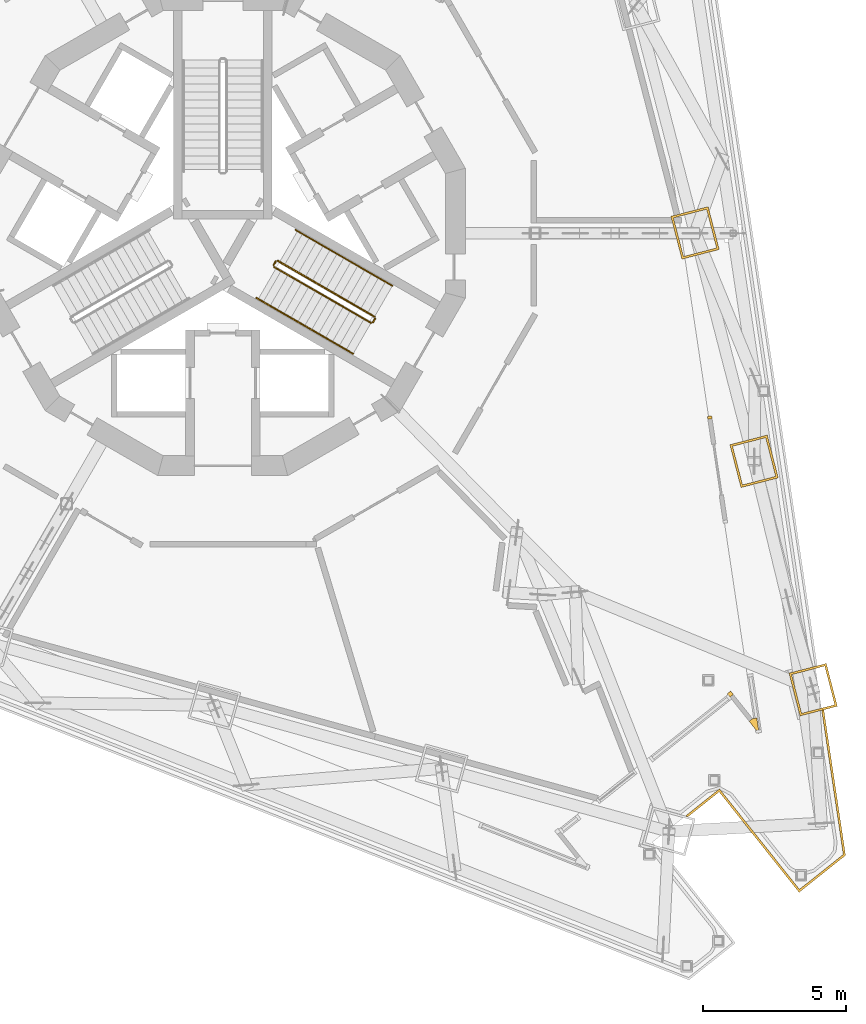
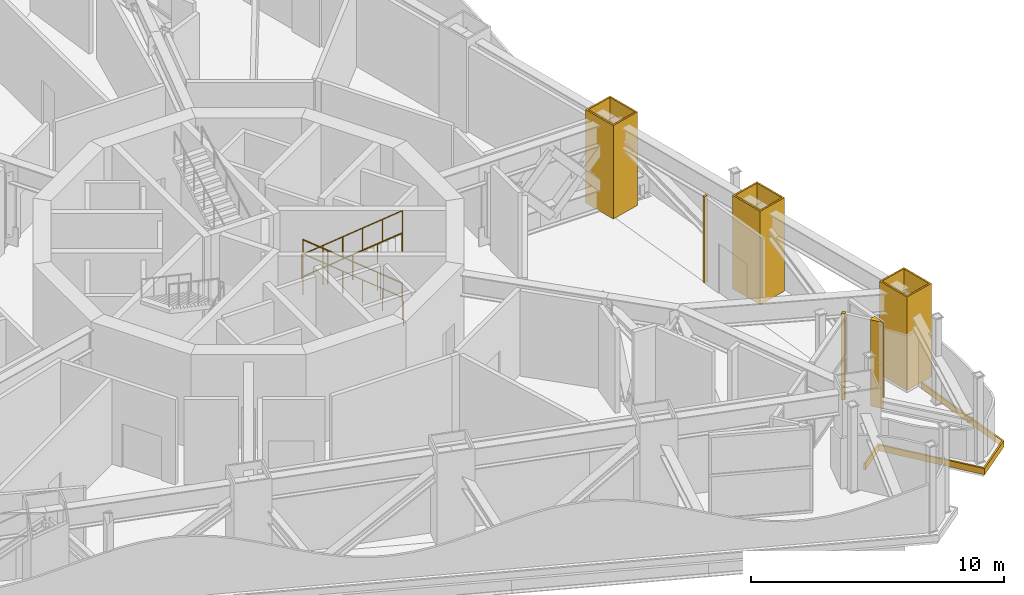
# One storey, part 24 of 27: 8 railings, 7 coverings.
"""IFC4 building model written with IfcOpenShell, lengths in metres."""

from ifc_helpers import new_model, si_unit, direction, frame, origin, origin_2d, place, context, subcontext, project, spatial, polyline, circle, outline, extrude, material, layer, layer_set, type_object, element, save


model = new_model("IFC4")

# Units and contexts
model_context = context("Model", 3, precision=1e-05, world=origin(), true_north=direction((0.0, 1.0)))
body_context = subcontext(model_context, "Body", "Model", "MODEL_VIEW")
ifc_project = project(units=[si_unit("LENGTHUNIT", "METRE"), si_unit("AREAUNIT", "SQUARE_METRE"), si_unit("VOLUMEUNIT", "CUBIC_METRE"), si_unit("PLANEANGLEUNIT", "RADIAN"), si_unit("MASSUNIT", "GRAM", prefix="KILO")], contexts=[model_context])

# Site, building, storey
site_placement = place(None, origin())
site = spatial("IfcSite", under=ifc_project, at=site_placement, CompositionType="ELEMENT")
building_placement = place(site_placement, origin())
building = spatial("IfcBuilding", under=site, at=building_placement, Name="Trine Commons Tower", CompositionType="ELEMENT")
storey_placement = place(building_placement, frame((0.0, 0.0, 230.39990234375)))
storey = spatial("IfcBuildingStorey", under=building, at=storey_placement, Name="L60", CompositionType="ELEMENT", Elevation=230.39990234375)

# Coverings
ifc_material_1 = material(Name="Aluminium-framed insulated wall panel", Category="aluminium")
ifc_layer_1 = layer(ifc_material_1, 0.14990234375)
ifc_layer_set_1 = layer_set([ifc_layer_1], Name="Aluminium-framed insulated wall panel")
covering_type_1 = type_object("IfcCoveringType", Name="Glazing corner post, aluminium", PredefinedType="CLADDING", material=ifc_layer_set_1)
covering_1_placement = place(storey_placement, origin())
element("IfcCovering", 1, at=covering_1_placement, inside=storey, type_object=covering_type_1, Name="Entrance wall jamb post F2 9A", PredefinedType="CLADDING", context=body_context, shape_type="SweptSolid", body=[
    extrude(outline(polyline([(97.135009765625, 56.097412109375), (97.14990234375, 55.99853515625), (97.00146484375, 55.976318359375), (96.98681640625, 56.0751953125), (97.135009765625, 56.097412109375)])), origin(), (0.0, 0.0, 1.0), 4.150146484375),
])
covering_2_placement = place(storey_placement, origin())
element("IfcCovering", 2, at=covering_2_placement, inside=storey, type_object=covering_type_1, Name="Glazing corner post 6-06", PredefinedType="CLADDING", context=body_context, shape_type="SweptSolid", body=[
    extrude(outline(polyline([(98.4521484375, 45.390625), (98.800537109375, 44.95263671875), (98.718017578125, 45.506103515625), (98.569580078125, 45.484130859375), (98.4521484375, 45.390625)])), origin(), (0.0, 0.0, 1.0), 4.150146484375),
])
covering_3_placement = place(storey_placement, origin())
element("IfcCovering", 3, at=covering_3_placement, inside=storey, type_object=covering_type_1, Name="Glazing corner post 6-07", PredefinedType="CLADDING", context=body_context, shape_type="SweptSolid", body=[
    extrude(outline(polyline([(97.682861328125, 46.35791015625), (97.7763671875, 46.240478515625), (97.7763671875, 46.240478515625), (97.893798828125, 46.333740234375), (97.80029296875, 46.451171875), (97.80029296875, 46.451171875), (97.682861328125, 46.35791015625)])), origin(), (0.0, 0.0, 1.0), 4.150146484375),
])
ifc_material_2 = material(Name="Limestone, honed", Category="masonry")
ifc_layer_2 = layer(ifc_material_2, 0.074951171875)
ifc_layer_set_2 = layer_set([ifc_layer_2], Name="Limestone, honed")
covering_type_2 = type_object("IfcCoveringType", Name="Limestone column cladding 75", PredefinedType="CLADDING", material=ifc_layer_set_2)
covering_4_placement = place(storey_placement, origin())
element("IfcCovering", 4, at=covering_4_placement, inside=storey, type_object=covering_type_2, Name="Limestone pier cladding 7-16", PredefinedType="CLADDING", context=body_context, shape_type="SweptSolid", body=[
    extrude(outline(polyline([(97.01171875, 63.4296875), (95.704833984375, 63.091552734375), (96.0927734375, 61.591064453125), (97.39990234375, 61.928955078125), (97.01171875, 63.4296875)]), holes=[polyline([(96.9580078125, 63.338134765625), (95.796142578125, 63.037841796875), (96.146728515625, 61.682373046875), (97.30859375, 61.98291015625), (96.9580078125, 63.338134765625)])]), origin(), (0.0, 0.0, 1.0), 4.5),
])
covering_5_placement = place(storey_placement, origin())
element("IfcCovering", 5, at=covering_5_placement, inside=storey, type_object=covering_type_2, Name="Limestone pier cladding 7-17", PredefinedType="CLADDING", context=body_context, shape_type="SweptSolid", body=[
    extrude(outline(polyline([(99.082275390625, 55.42431640625), (97.775146484375, 55.086181640625), (98.1630859375, 53.585693359375), (99.47021484375, 53.923583984375), (99.082275390625, 55.42431640625)]), holes=[polyline([(99.0283203125, 55.3330078125), (97.866455078125, 55.032470703125), (98.217041015625, 53.677001953125), (99.37890625, 53.9775390625), (99.0283203125, 55.3330078125)])]), origin(), (0.0, 0.0, 1.0), 4.5),
])
covering_6_placement = place(storey_placement, origin())
element("IfcCovering", 6, at=covering_6_placement, inside=storey, type_object=covering_type_2, Name="Limestone pier cladding 7-18", PredefinedType="CLADDING", context=body_context, shape_type="SweptSolid", body=[
    extrude(outline(polyline([(101.152587890625, 47.4189453125), (99.845458984375, 47.0810546875), (100.2333984375, 45.580322265625), (101.54052734375, 45.91845703125), (101.152587890625, 47.4189453125)]), holes=[polyline([(101.0986328125, 47.32763671875), (99.936767578125, 47.027099609375), (100.287353515625, 45.671875), (101.44921875, 45.97216796875), (101.0986328125, 47.32763671875)])]), origin(), (0.0, 0.0, 1.0), 4.5),
])
ifc_layer_3 = layer(ifc_material_2, 0.074951171875)
ifc_layer_set_3 = layer_set([ifc_layer_3], Name="Limestone, honed")
covering_type_3 = type_object("IfcCoveringType", Name="Limestone spandrel panel 75", PredefinedType="CLADDING", material=ifc_layer_set_3)
covering_7_placement = place(storey_placement, frame((0.0, 0.0, -0.2998046875)))
element("IfcCovering", 7, at=covering_7_placement, inside=storey, type_object=covering_type_3, Name="Limestone spandrel panel 6-03", PredefinedType="CLADDING", context=body_context, shape_type="SweptSolid", body=[
    extrude(outline(polyline([(97.397705078125, 42.917236328125), (100.198974609375, 39.3955078125), (101.82861328125, 40.69189453125), (101.06591796875, 45.795654296875), (100.992919921875, 45.77685546875), (101.748046875, 40.7236328125), (100.2109375, 39.5009765625), (97.40966796875, 43.022705078125), (96.2138671875, 42.0712890625), (96.302978515625, 42.046630859375), (97.397705078125, 42.917236328125)])), origin(), (0.0, 0.0, 1.0), 0.2998046875),
])

# Railings
ifc_material_3 = material(Name="Stainless steel balustrade", Category="steel")
railing_type_1 = type_object("IfcRailingType", Name="Stair guard, steel balustrade 1100", PredefinedType="GUARDRAIL", material=ifc_material_3)
railing_1_placement = place(storey_placement, frame((85.31982421875, 59.572998046875, 0.150146484375)))
element("IfcRailing", 8, at=railing_1_placement, inside=storey, type_object=railing_type_1, Name="L60 ST3C stair guard 1", PredefinedType="GUARDRAIL", context=body_context, shape_type="SweptSolid", body=[
    extrude(circle(Radius=0.02392578125, at=origin_2d()), frame((0.0, 0.0, 1.076171875), z_axis=(-0.763394730363, 0.440743106462, 0.472201228037), x_axis=(-0.499997407846, -0.86602690036, 0.0)), (0.0, 0.0, 1.0), 4.447021484375),
    extrude(circle(Radius=0.02099609375, at=origin_2d()), origin(), (0.0, 0.0, 1.0), 1.052001953125),
    extrude(circle(Radius=0.02099609375, at=origin_2d()), frame((-0.678955078125, 0.39208984375, 0.419921875)), (0.0, 0.0, 1.0), 1.052001953125),
    extrude(circle(Radius=0.02099609375, at=origin_2d()), frame((-1.35791015625, 0.783935546875, 0.83984375)), (0.0, 0.0, 1.0), 1.052001953125),
    extrude(circle(Radius=0.02099609375, at=origin_2d()), frame((-2.036865234375, 1.176025390625, 1.260009765625)), (0.0, 0.0, 1.0), 1.052001953125),
    extrude(circle(Radius=0.02099609375, at=origin_2d()), frame((-2.7158203125, 1.56787109375, 1.679931640625)), (0.0, 0.0, 1.0), 1.052001953125),
    extrude(circle(Radius=0.02099609375, at=origin_2d()), frame((-3.394775390625, 1.9599609375, 2.099853515625)), (0.0, 0.0, 1.0), 1.052001953125),
])
railing_2_placement = place(storey_placement, frame((81.856689453125, 61.5146484375, 2.25)))
element("IfcRailing", 9, at=railing_2_placement, inside=storey, type_object=railing_type_1, Name="L60 ST3C stair guard 2", PredefinedType="GUARDRAIL", context=body_context, shape_type="SweptSolid", body=[
    extrude(circle(Radius=0.02392578125, at=origin_2d()), frame((0.0, 0.0, 1.076171875), z_axis=(-0.499816412211, -0.866131372301, 0.0), x_axis=(0.866131372301, -0.499816412211, 0.0)), (0.0, 0.0, 1.0), 0.14990234375),
    extrude(circle(Radius=0.02099609375, at=origin_2d()), origin(), (0.0, 0.0, 1.0), 1.052001953125),
    extrude(circle(Radius=0.02099609375, at=origin_2d()), frame((-0.074951171875, -0.1298828125, 0.0)), (0.0, 0.0, 1.0), 1.052001953125),
])
railing_3_placement = place(storey_placement, frame((81.800048828125, 61.31640625, 2.400146484375)))
element("IfcRailing", 10, at=railing_3_placement, inside=storey, type_object=railing_type_1, Name="L60 ST3C stair guard 3", PredefinedType="GUARDRAIL", context=body_context, shape_type="SweptSolid", body=[
    extrude(circle(Radius=0.02392578125, at=origin_2d()), frame((0.0, 0.0, 1.076171875), z_axis=(0.763394730363, -0.440743106462, 0.472201228037), x_axis=(0.499997407846, 0.86602690036, 0.0)), (0.0, 0.0, 1.0), 4.447021484375),
    extrude(circle(Radius=0.02099609375, at=origin_2d()), origin(), (0.0, 0.0, 1.0), 1.052001953125),
    extrude(circle(Radius=0.02099609375, at=origin_2d()), frame((0.678955078125, -0.39208984375, 0.419921875)), (0.0, 0.0, 1.0), 1.052001953125),
    extrude(circle(Radius=0.02099609375, at=origin_2d()), frame((1.35791015625, -0.783935546875, 0.83984375)), (0.0, 0.0, 1.0), 1.052001953125),
    extrude(circle(Radius=0.02099609375, at=origin_2d()), frame((2.036865234375, -1.176025390625, 1.260009765625)), (0.0, 0.0, 1.0), 1.052001953125),
    extrude(circle(Radius=0.02099609375, at=origin_2d()), frame((2.7158203125, -1.56787109375, 1.679931640625)), (0.0, 0.0, 1.0), 1.052001953125),
    extrude(circle(Radius=0.02099609375, at=origin_2d()), frame((3.394775390625, -1.9599609375, 2.099853515625)), (0.0, 0.0, 1.0), 1.052001953125),
])
railing_4_placement = place(storey_placement, frame((85.338134765625, 59.504638671875, 0.0)))
element("IfcRailing", 11, at=railing_4_placement, inside=storey, type_object=railing_type_1, Name="L60 ST3C stair guard 4", PredefinedType="GUARDRAIL", context=body_context, shape_type="SweptSolid", body=[
    extrude(circle(Radius=0.02392578125, at=origin_2d()), frame((0.0, 0.0, 1.076171875), z_axis=(-0.499816412211, -0.866131372301, 0.0), x_axis=(0.866131372301, -0.499816412211, 0.0)), (0.0, 0.0, 1.0), 0.14990234375),
    extrude(circle(Radius=0.02099609375, at=origin_2d()), origin(), (0.0, 0.0, 1.0), 1.052001953125),
    extrude(circle(Radius=0.02099609375, at=origin_2d()), frame((-0.074951171875, -0.1298828125, 0.0)), (0.0, 0.0, 1.0), 1.052001953125),
])
ifc_material_4 = material(Name="Stainless steel handrail", Category="steel")
railing_type_2 = type_object("IfcRailingType", Name="Stair handrail, steel 900", PredefinedType="HANDRAIL", material=ifc_material_4)
railing_5_placement = place(storey_placement, frame((85.94482421875, 60.655517578125, 0.150146484375)))
element("IfcRailing", 12, at=railing_5_placement, inside=storey, type_object=railing_type_2, Name="L60 ST3C stair handrail 1", PredefinedType="HANDRAIL", context=body_context, shape_type="SweptSolid", body=[
    extrude(circle(Radius=0.02099609375, at=origin_2d()), frame((0.0, 0.0, 0.87890625), z_axis=(-0.763397845365, 0.440713210311, 0.472224095054), x_axis=(-0.499970440388, -0.866042469362, 0.0)), (0.0, 0.0, 1.0), 2.2236328125),
    extrude(circle(Radius=0.01513671875, at=origin_2d()), origin(), (0.0, 0.0, 1.0), 0.85791015625),
    extrude(circle(Radius=0.01513671875, at=origin_2d()), frame((-0.8486328125, 0.489990234375, 0.52490234375)), (0.0, 0.0, 1.0), 0.85791015625),
    extrude(circle(Radius=0.01513671875, at=origin_2d()), frame((-1.697509765625, 0.97998046875, 1.050048828125)), (0.0, 0.0, 1.0), 0.85791015625),
])
railing_6_placement = place(storey_placement, frame((84.247314453125, 61.635498046875, 1.2001953125)))
element("IfcRailing", 13, at=railing_6_placement, inside=storey, type_object=railing_type_2, Name="L60 ST3C stair handrail 2", PredefinedType="HANDRAIL", context=body_context, shape_type="SweptSolid", body=[
    extrude(circle(Radius=0.02099609375, at=origin_2d()), frame((0.0, 0.0, 0.87890625), z_axis=(-0.76339161385, 0.440773006041, 0.472178357243), x_axis=(-0.500024377727, -0.866011328839, 0.0)), (0.0, 0.0, 1.0), 2.223388671875),
    extrude(circle(Radius=0.01513671875, at=origin_2d()), origin(), (0.0, 0.0, 1.0), 0.85791015625),
    extrude(circle(Radius=0.01513671875, at=origin_2d()), frame((-0.8486328125, 0.489990234375, 0.52490234375)), (0.0, 0.0, 1.0), 0.85791015625),
    extrude(circle(Radius=0.01513671875, at=origin_2d()), frame((-1.697265625, 0.97998046875, 1.0498046875)), (0.0, 0.0, 1.0), 0.85791015625),
])
railing_7_placement = place(storey_placement, frame((81.175048828125, 60.23388671875, 2.400146484375)))
element("IfcRailing", 14, at=railing_7_placement, inside=storey, type_object=railing_type_2, Name="L60 ST3C stair handrail 3", PredefinedType="HANDRAIL", context=body_context, shape_type="SweptSolid", body=[
    extrude(circle(Radius=0.02099609375, at=origin_2d()), frame((0.0, 0.0, 0.87890625), z_axis=(0.763352030933, -0.440750151347, 0.472263677365), x_axis=(0.500024377727, 0.866011328839, 0.0)), (0.0, 0.0, 1.0), 2.223388671875),
    extrude(circle(Radius=0.01513671875, at=origin_2d()), origin(), (0.0, 0.0, 1.0), 0.85791015625),
    extrude(circle(Radius=0.01513671875, at=origin_2d()), frame((0.8486328125, -0.489990234375, 0.52490234375)), (0.0, 0.0, 1.0), 0.85791015625),
    extrude(circle(Radius=0.01513671875, at=origin_2d()), frame((1.697265625, -0.97998046875, 1.050048828125)), (0.0, 0.0, 1.0), 0.85791015625),
])
railing_8_placement = place(storey_placement, frame((82.872314453125, 59.25390625, 3.4501953125)))
element("IfcRailing", 15, at=railing_8_placement, inside=storey, type_object=railing_type_2, Name="L60 ST3C stair handrail 4", PredefinedType="HANDRAIL", context=body_context, shape_type="SweptSolid", body=[
    extrude(circle(Radius=0.02099609375, at=origin_2d()), frame((0.0, 0.0, 0.87890625), z_axis=(0.763437424022, -0.440736059258, 0.47213877798), x_axis=(0.499970440388, 0.866042469362, 0.0)), (0.0, 0.0, 1.0), 2.223388671875),
    extrude(circle(Radius=0.01513671875, at=origin_2d()), origin(), (0.0, 0.0, 1.0), 0.85791015625),
    extrude(circle(Radius=0.01513671875, at=origin_2d()), frame((0.8486328125, -0.489990234375, 0.52490234375)), (0.0, 0.0, 1.0), 0.85791015625),
    extrude(circle(Radius=0.01513671875, at=origin_2d()), frame((1.697509765625, -0.97998046875, 1.0498046875)), (0.0, 0.0, 1.0), 0.85791015625),
])

save(model, "model.ifc")
